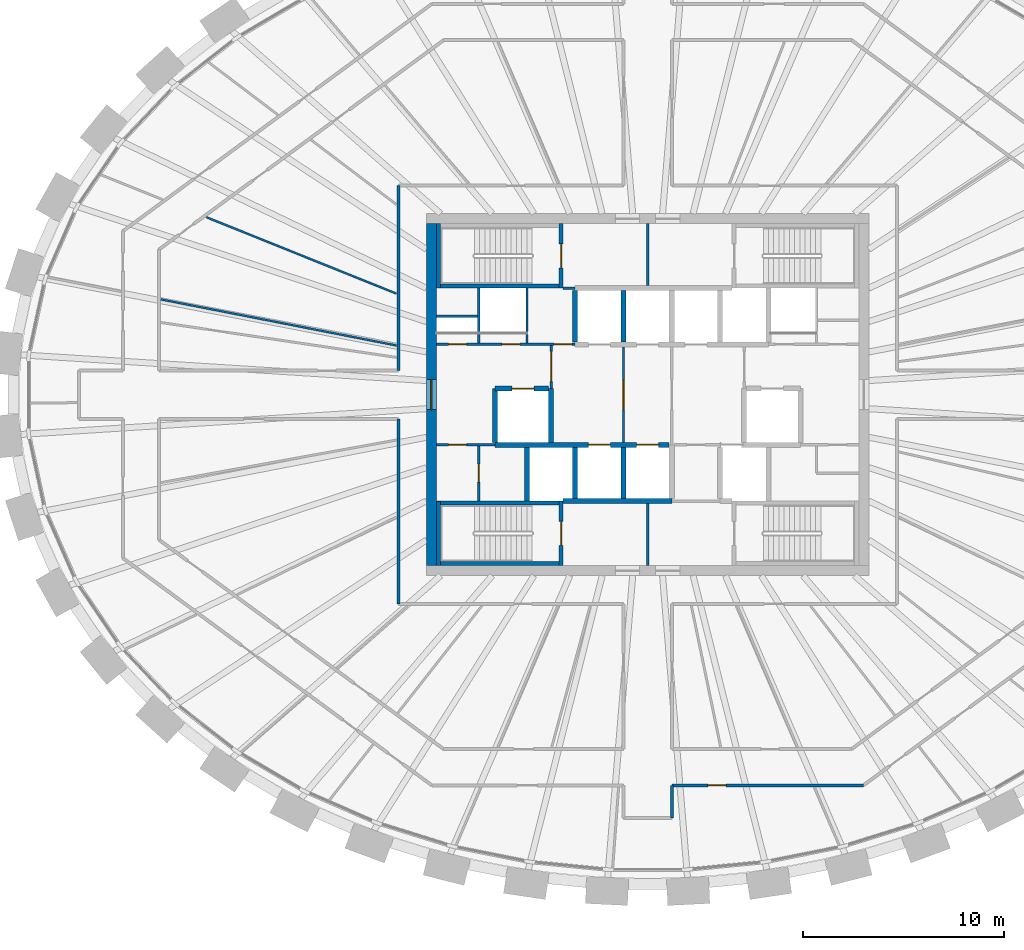
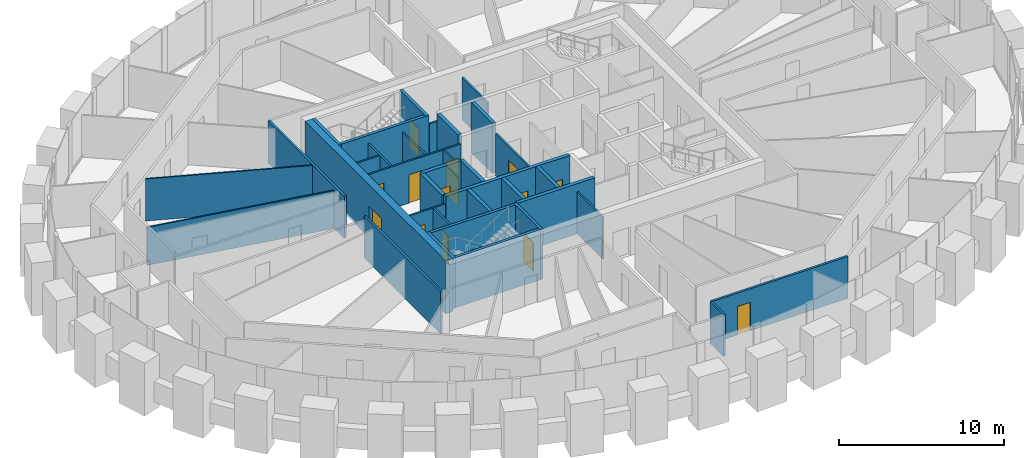
# One storey, part 7 of 12: 35 walls, 14 doors, 14 openings.
"""IFC4 building model written with IfcOpenShell, lengths in metres."""

from ifc_helpers import new_model, si_unit, direction, frame, frame_2d, origin, place, context, subcontext, project, spatial, rectangle, extrude, source, transform, mapped, material, layer, layer_set, type_object, element, fill, save


model = new_model("IFC4")

# Units and contexts
model_context = context("Model", 3, precision=1e-05, world=origin(), true_north=direction((0.0, 1.0)))
body_context = subcontext(model_context, "Body", "Model", "MODEL_VIEW")
ifc_project = project(units=[si_unit("LENGTHUNIT", "METRE"), si_unit("AREAUNIT", "SQUARE_METRE"), si_unit("VOLUMEUNIT", "CUBIC_METRE"), si_unit("PLANEANGLEUNIT", "RADIAN"), si_unit("MASSUNIT", "GRAM", prefix="KILO")], contexts=[model_context])

# Site, building, storey
site_placement = place(None, origin())
site = spatial("IfcSite", under=ifc_project, at=site_placement, CompositionType="ELEMENT")
building_placement = place(site_placement, origin())
building = spatial("IfcBuilding", under=site, at=building_placement, Name="Embergate Tower", CompositionType="ELEMENT")
storey_placement = place(building_placement, frame((0.0, 0.0, 281.199951171875)))
storey = spatial("IfcBuildingStorey", under=building, at=storey_placement, Name="L65", CompositionType="ELEMENT", Elevation=281.199951171875)

# Wall, opening, door
ifc_material_1 = material(Name="Concrete C50", Category="concrete")
ifc_layer_1 = layer(ifc_material_1, 0.5)
ifc_layer_set_1 = layer_set([ifc_layer_1], Name="Concrete C50")
wall_type_1 = type_object("IfcWallType", Name="Core outer wall C50 500", PredefinedType="SHEAR", material=ifc_layer_set_1)
shared_shape_1 = source(origin(), body_context, "Body", "SweptSolid", [
    extrude(rectangle(XDim=17.0, YDim=0.5, at=frame_2d((8.5, 0.0))), origin(), (0.0, 0.0, 1.0), 3.89990234375),
])
wall_1_placement = place(storey_placement, frame((-10.75, -8.5, -0.199951171875), z_axis=(0.0, 0.0, 1.0), x_axis=(0.0, 1.0, 0.0)))
wall_1 = element("IfcWall", 1, at=wall_1_placement, inside=storey, type_object=wall_type_1, Name="CW-L65-W", PredefinedType="SHEAR", context=body_context, shape_type="MappedRepresentation", body=[
    mapped(shared_shape_1, transform((0.0, 0.0, 0.0))),
])
shared_shape_2 = source(origin(), body_context, "Body", "SweptSolid", [
    extrude(rectangle(XDim=1.5, YDim=2.10009765625, at=frame_2d((0.75, 1.050048828125))), frame((0.0, 0.260009765625, 0.0), z_axis=(0.0, -1.0, 0.0), x_axis=(1.0, 0.0, 0.0)), (0.0, 0.0, 1.0), 0.52001953125),
])
opening_1_placement = place(wall_1_placement, frame((7.75, 0.0, 0.199951171875)))
opening_1 = element("IfcOpeningElement", 2, at=opening_1_placement, cuts=wall_1, Name="Opening IF-3", PredefinedType="OPENING", context=body_context, shape_type="MappedRepresentation", body=[
    mapped(shared_shape_2, transform((0.0, 0.0, 0.0))),
])
ifc_material_2 = material(Name="Lobby fire door pair 1500")
door_type_1 = type_object("IfcDoorType", Name="Lobby fire door pair 1500", OperationType="DOUBLE_DOOR_SINGLE_SWING", PredefinedType="DOOR", material=ifc_material_2)
shared_shape_3 = source(origin(), body_context, "Body", "SweptSolid", [
    extrude(rectangle(XDim=1.5, YDim=2.10009765625, at=frame_2d((0.75, 1.050048828125))), frame((0.0, 0.02490234375, 0.0), z_axis=(0.0, -1.0, 0.0), x_axis=(1.0, 0.0, 0.0)), (0.0, 0.0, 1.0), 0.050048828125),
])
door_1_placement = place(opening_1_placement, origin())
door_1 = element("IfcDoor", 3, at=door_1_placement, inside=storey, type_object=door_type_1, Name="IF-3 door", OperationType="DOUBLE_DOOR_SINGLE_SWING", OverallHeight=2.10009765625, OverallWidth=1.5, PredefinedType="DOOR", context=body_context, shape_type="MappedRepresentation", body=[
    mapped(shared_shape_3, transform((0.0, 0.0, 0.0))),
])
fill(opening_1, door_1)

# Walls
ifc_layer_2 = layer(ifc_material_1, 0.25)
ifc_layer_set_2 = layer_set([ifc_layer_2], Name="Concrete C50")
wall_type_2 = type_object("IfcWallType", Name="Hoistway wall reinforced concrete 250", PredefinedType="SHEAR", material=ifc_layer_set_2)
shared_shape_4 = source(origin(), body_context, "Body", "SweptSolid", [
    extrude(rectangle(XDim=2.675048828125, YDim=0.25, at=frame_2d((1.33740234375, 0.0))), origin(), (0.0, 0.0, 1.0), 3.699951171875),
])
for number, where, z_axis, x_axis, name in (
    (4, (-6.0, -5.300048828125, 0.0), (0.0, 0.0, 1.0), (0.0, 1.0, 0.0), "HW-1 wall"),
    (5, (-4.800048828125, 0.300048828125, 0.0), (0.0, 0.0, 1.0), (0.0, -1.0, 0.0), "HW-1 wall"),
):
    element("IfcWall", number, at=place(storey_placement, frame(where, z_axis=z_axis, x_axis=x_axis)), inside=storey, type_object=wall_type_2, Name=name, PredefinedType="SHEAR", context=body_context, shape_type="MappedRepresentation", body=[
        mapped(shared_shape_4, transform((0.0, 0.0, 0.0))),
    ])

# Wall, opening, door
wall_2_placement = place(storey_placement, frame((-4.925048828125, 0.300048828125, 0.0), z_axis=(0.0, 0.0, 1.0), x_axis=(-1.0, 0.0, 0.0)))
wall_2 = element("IfcWall", 6, at=wall_2_placement, inside=storey, type_object=wall_type_2, Name="HW-1 wall", PredefinedType="SHEAR", context=body_context, shape_type="MappedRepresentation", body=[
    mapped(shared_shape_4, transform((0.0, 0.0, 0.0))),
])
shared_shape_5 = source(origin(), body_context, "Body", "SweptSolid", [
    extrude(rectangle(XDim=1.10009765625, YDim=2.10009765625, at=frame_2d((0.550048828125, 1.050048828125))), frame((0.0, 0.135009765625, 0.0), z_axis=(0.0, -1.0, 0.0), x_axis=(1.0, 0.0, 0.0)), (0.0, 0.0, 1.0), 0.27001953125),
])
opening_2_placement = place(wall_2_placement, frame((0.72509765625, 0.0, 0.0)))
opening_2 = element("IfcOpeningElement", 7, at=opening_2_placement, cuts=wall_2, Name="Opening LD", PredefinedType="OPENING", context=body_context, shape_type="MappedRepresentation", body=[
    mapped(shared_shape_5, transform((0.0, 0.0, 0.0))),
])
ifc_material_3 = material(Name="Landing door sliding 1100")
door_type_2 = type_object("IfcDoorType", Name="Landing door sliding 1100", OperationType="SLIDING_TO_LEFT", PredefinedType="DOOR", material=ifc_material_3)
shared_shape_6 = source(origin(), body_context, "Body", "SweptSolid", [
    extrude(rectangle(XDim=1.10009765625, YDim=2.10009765625, at=frame_2d((0.550048828125, 1.050048828125))), frame((0.0, 0.02490234375, 0.0), z_axis=(0.0, -1.0, 0.0), x_axis=(1.0, 0.0, 0.0)), (0.0, 0.0, 1.0), 0.050048828125),
])
door_2_placement = place(opening_2_placement, origin())
door_2 = element("IfcDoor", 8, at=door_2_placement, inside=storey, type_object=door_type_2, Name="LD door", OperationType="SLIDING_TO_RIGHT", OverallHeight=2.10009765625, OverallWidth=1.10009765625, PredefinedType="DOOR", context=body_context, shape_type="MappedRepresentation", body=[
    mapped(shared_shape_6, transform((0.0, 0.0, 0.0))),
])
fill(opening_2, door_2)

# Walls
wall_3_placement = place(storey_placement, frame((-7.60009765625, 0.300048828125, 0.0), z_axis=(0.0, 0.0, 1.0), x_axis=(0.0, -1.0, 0.0)))
element("IfcWall", 9, at=wall_3_placement, inside=storey, type_object=wall_type_2, Name="HW-1 wall", PredefinedType="SHEAR", context=body_context, shape_type="MappedRepresentation", body=[
    mapped(shared_shape_4, transform((0.0, 0.0, 0.0))),
])
ifc_layer_3 = layer(ifc_material_1, 0.199951171875)
ifc_layer_set_3 = layer_set([ifc_layer_3], Name="Concrete C50")
wall_type_3 = type_object("IfcWallType", Name="Stair enclosure wall reinforced concrete 250", PredefinedType="SHEAR", material=ifc_layer_set_3)
shared_shape_7 = source(origin(), body_context, "Body", "SweptSolid", [
    extrude(rectangle(XDim=6.300048828125, YDim=0.199951171875, at=frame_2d((3.14990234375, 0.0))), origin(), (0.0, 0.0, 1.0), 3.699951171875),
])
for number, where, z_axis, x_axis, name in (
    (10, (-4.199951171875, 5.39990234375, 0.0), (0.0, 0.0, 1.0), (-1.0, 0.0, 0.0), "SE-1 wall"),
    (11, (-10.5, -5.39990234375, 0.0), (0.0, 0.0, 1.0), (1.0, 0.0, 0.0), "SE-1 wall"),
):
    element("IfcWall", number, at=place(storey_placement, frame(where, z_axis=z_axis, x_axis=x_axis)), inside=storey, type_object=wall_type_3, Name=name, PredefinedType="SHEAR", context=body_context, shape_type="MappedRepresentation", body=[
        mapped(shared_shape_7, transform((0.0, 0.0, 0.0))),
    ])
ifc_material_4 = material(Name="Core partition blockwork 120")
ifc_layer_4 = layer(ifc_material_4, 0.1201171875)
ifc_layer_set_4 = layer_set([ifc_layer_4], Name="Core partition blockwork 120")
wall_type_4 = type_object("IfcWallType", Name="Core partition blockwork 120", PredefinedType="PARTITIONING", material=ifc_layer_set_4)
shared_shape_8 = source(origin(), body_context, "Body", "SweptSolid", [
    extrude(rectangle(XDim=2.739990234375, YDim=0.1201171875, at=frame_2d((1.3701171875, 0.0))), origin(), (0.0, 0.0, 1.0), 3.10009765625),
])
wall_4_placement = place(storey_placement, frame((-6.0, 2.56005859375, 0.0), z_axis=(0.0, 0.0, 1.0), x_axis=(0.0, 1.0, 0.0)))
element("IfcWall", 12, at=wall_4_placement, inside=storey, type_object=wall_type_4, Name="IP-3 wall", PredefinedType="PARTITIONING", context=body_context, shape_type="MappedRepresentation", body=[
    mapped(shared_shape_8, transform((0.0, 0.0, 0.0))),
])

# Wall, opening, door
wall_5_placement = place(storey_placement, frame((-8.39990234375, -2.56005859375, 0.0), z_axis=(0.0, 0.0, 1.0), x_axis=(0.0, -1.0, 0.0)))
wall_5 = element("IfcWall", 13, at=wall_5_placement, inside=storey, type_object=wall_type_4, Name="IP-3 wall", PredefinedType="PARTITIONING", context=body_context, shape_type="MappedRepresentation", body=[
    mapped(shared_shape_8, transform((0.0, 0.0, 0.0))),
])
shared_shape_9 = source(origin(), body_context, "Body", "SweptSolid", [
    extrude(rectangle(XDim=0.89990234375, YDim=2.10009765625, at=frame_2d((0.449951171875, 1.050048828125))), frame((0.0, 0.070068359375, 0.0), z_axis=(0.0, -1.0, 0.0), x_axis=(1.0, 0.0, 0.0)), (0.0, 0.0, 1.0), 0.14013671875),
])
opening_3_placement = place(wall_5_placement, frame((0.889892578125, 0.0, 0.0)))
opening_3 = element("IfcOpeningElement", 14, at=opening_3_placement, cuts=wall_5, Name="Opening ID-1", PredefinedType="OPENING", context=body_context, shape_type="MappedRepresentation", body=[
    mapped(shared_shape_9, transform((0.0, 0.0, 0.0))),
])
ifc_material_5 = material(Name="Interior door 900")
door_type_3 = type_object("IfcDoorType", Name="Interior door 900", OperationType="SINGLE_SWING_LEFT", PredefinedType="DOOR", material=ifc_material_5)
shared_shape_10 = source(origin(), body_context, "Body", "SweptSolid", [
    extrude(rectangle(XDim=0.89990234375, YDim=2.10009765625, at=frame_2d((0.449951171875, 1.050048828125))), frame((0.0, 0.02490234375, 0.0), z_axis=(0.0, -1.0, 0.0), x_axis=(1.0, 0.0, 0.0)), (0.0, 0.0, 1.0), 0.050048828125),
])
door_3_placement = place(opening_3_placement, origin())
door_3 = element("IfcDoor", 15, at=door_3_placement, inside=storey, type_object=door_type_3, Name="ID-1 door", OperationType="SINGLE_SWING_RIGHT", OverallHeight=2.10009765625, OverallWidth=0.89990234375, PredefinedType="DOOR", context=body_context, shape_type="MappedRepresentation", body=[
    mapped(shared_shape_10, transform((0.0, 0.0, 0.0))),
])
fill(opening_3, door_3)

# Walls
shared_shape_11 = source(origin(), body_context, "Body", "SweptSolid", [
    extrude(rectangle(XDim=2.550048828125, YDim=0.25, at=frame_2d((1.27490234375, 0.0))), origin(), (0.0, 0.0, 1.0), 3.699951171875),
])
for number, where, z_axis, x_axis, name in (
    (16, (-1.199951171875, 2.625, 0.0), (0.0, 0.0, 1.0), (0.0, 1.0, 0.0), "HW-1 wall"),
    (17, (-3.60009765625, 5.175048828125, 0.0), (0.0, 0.0, 1.0), (0.0, -1.0, 0.0), "HW-1 wall"),
    (18, (-3.60009765625, -5.175048828125, 0.0), (0.0, 0.0, 1.0), (0.0, 1.0, 0.0), "HW-1 wall"),
    (19, (-1.199951171875, -5.175048828125, 0.0), (0.0, 0.0, 1.0), (0.0, 1.0, 0.0), "HW-1 wall"),
):
    element("IfcWall", number, at=place(storey_placement, frame(where, z_axis=z_axis, x_axis=x_axis)), inside=storey, type_object=wall_type_2, Name=name, PredefinedType="SHEAR", context=body_context, shape_type="MappedRepresentation", body=[
        mapped(shared_shape_11, transform((0.0, 0.0, 0.0))),
    ])

# Wall, opening, door
shared_shape_12 = source(origin(), body_context, "Body", "SweptSolid", [
    extrude(rectangle(XDim=4.75, YDim=0.1201171875, at=frame_2d((2.375, 0.0))), origin(), (0.0, 0.0, 1.0), 3.10009765625),
])
wall_6_placement = place(storey_placement, frame((-1.199951171875, -2.375, 0.0), z_axis=(0.0, 0.0, 1.0), x_axis=(0.0, 1.0, 0.0)))
wall_6 = element("IfcWall", 20, at=wall_6_placement, inside=storey, type_object=wall_type_4, Name="IP-3 wall", PredefinedType="PARTITIONING", context=body_context, shape_type="MappedRepresentation", body=[
    mapped(shared_shape_12, transform((0.0, 0.0, 0.0))),
])
shared_shape_13 = source(origin(), body_context, "Body", "SweptSolid", [
    extrude(rectangle(XDim=1.5, YDim=2.10009765625, at=frame_2d((0.75, 1.050048828125))), frame((0.0, 0.070068359375, 0.0), z_axis=(0.0, -1.0, 0.0), x_axis=(1.0, 0.0, 0.0)), (0.0, 0.0, 1.0), 0.14013671875),
])
opening_4_placement = place(wall_6_placement, frame((1.625, 0.0, 0.0)))
opening_4 = element("IfcOpeningElement", 21, at=opening_4_placement, cuts=wall_6, Name="Opening IF-3", PredefinedType="OPENING", context=body_context, shape_type="MappedRepresentation", body=[
    mapped(shared_shape_13, transform((0.0, 0.0, 0.0))),
])
door_4_placement = place(opening_4_placement, origin())
door_4 = element("IfcDoor", 22, at=door_4_placement, inside=storey, type_object=door_type_1, Name="IF-3 door", OperationType="DOUBLE_DOOR_SINGLE_SWING", OverallHeight=2.10009765625, OverallWidth=1.5, PredefinedType="DOOR", context=body_context, shape_type="MappedRepresentation", body=[
    mapped(shared_shape_3, transform((0.0, 0.0, 0.0))),
])
fill(opening_4, door_4)

shared_shape_14 = source(origin(), body_context, "Body", "SweptSolid", [
    extrude(rectangle(XDim=3.199951171875, YDim=0.199951171875, at=frame_2d((1.60009765625, 0.0))), origin(), (0.0, 0.0, 1.0), 3.699951171875),
])
wall_7_placement = place(storey_placement, frame((-4.300048828125, 5.300048828125, 0.0), z_axis=(0.0, 0.0, 1.0), x_axis=(0.0, 1.0, 0.0)))
wall_7 = element("IfcWall", 23, at=wall_7_placement, inside=storey, type_object=wall_type_3, Name="SE-1 wall", PredefinedType="SHEAR", context=body_context, shape_type="MappedRepresentation", body=[
    mapped(shared_shape_14, transform((0.0, 0.0, 0.0))),
])
shared_shape_15 = source(origin(), body_context, "Body", "SweptSolid", [
    extrude(rectangle(XDim=1.199951171875, YDim=2.10009765625, at=frame_2d((0.60009765625, 1.050048828125))), frame((0.0, 0.10986328125, 0.0), z_axis=(0.0, -1.0, 0.0), x_axis=(1.0, 0.0, 0.0)), (0.0, 0.0, 1.0), 0.219970703125),
])
opening_5_placement = place(wall_7_placement, frame((1.0, 0.0, 0.0)))
opening_5 = element("IfcOpeningElement", 24, at=opening_5_placement, cuts=wall_7, Name="Opening IF-2", PredefinedType="OPENING", context=body_context, shape_type="MappedRepresentation", body=[
    mapped(shared_shape_15, transform((0.0, 0.0, 0.0))),
])
ifc_material_6 = material(Name="Stair enclosure door 1200")
door_type_4 = type_object("IfcDoorType", Name="Stair enclosure door 1200", OperationType="SINGLE_SWING_LEFT", PredefinedType="DOOR", material=ifc_material_6)
shared_shape_16 = source(origin(), body_context, "Body", "SweptSolid", [
    extrude(rectangle(XDim=1.199951171875, YDim=2.10009765625, at=frame_2d((0.60009765625, 1.050048828125))), frame((0.0, 0.02490234375, 0.0), z_axis=(0.0, -1.0, 0.0), x_axis=(1.0, 0.0, 0.0)), (0.0, 0.0, 1.0), 0.050048828125),
])
door_5_placement = place(opening_5_placement, origin())
door_5 = element("IfcDoor", 25, at=door_5_placement, inside=storey, type_object=door_type_4, Name="IF-2 door", OperationType="SINGLE_SWING_LEFT", OverallHeight=2.10009765625, OverallWidth=1.199951171875, PredefinedType="DOOR", context=body_context, shape_type="MappedRepresentation", body=[
    mapped(shared_shape_16, transform((0.0, 0.0, 0.0))),
])
fill(opening_5, door_5)

wall_8_placement = place(storey_placement, frame((-4.300048828125, -8.5, 0.0), z_axis=(0.0, 0.0, 1.0), x_axis=(0.0, 1.0, 0.0)))
wall_8 = element("IfcWall", 26, at=wall_8_placement, inside=storey, type_object=wall_type_3, Name="SE-1 wall", PredefinedType="SHEAR", context=body_context, shape_type="MappedRepresentation", body=[
    mapped(shared_shape_14, transform((0.0, 0.0, 0.0))),
])
opening_6_placement = place(wall_8_placement, frame((1.0, 0.0, 0.0)))
opening_6 = element("IfcOpeningElement", 27, at=opening_6_placement, cuts=wall_8, Name="Opening IF-2", PredefinedType="OPENING", context=body_context, shape_type="MappedRepresentation", body=[
    mapped(shared_shape_15, transform((0.0, 0.0, 0.0))),
])
door_6_placement = place(opening_6_placement, origin())
door_6 = element("IfcDoor", 28, at=door_6_placement, inside=storey, type_object=door_type_4, Name="IF-2 door", OperationType="SINGLE_SWING_RIGHT", OverallHeight=2.10009765625, OverallWidth=1.199951171875, PredefinedType="DOOR", context=body_context, shape_type="MappedRepresentation", body=[
    mapped(shared_shape_16, transform((0.0, 0.0, 0.0))),
])
fill(opening_6, door_6)

# Walls
wall_9_placement = place(storey_placement, frame((-10.39990234375, 8.5, 0.0), z_axis=(0.0, 0.0, 1.0), x_axis=(0.0, -1.0, 0.0)))
element("IfcWall", 29, at=wall_9_placement, inside=storey, type_object=wall_type_3, Name="SE-1 wall", PredefinedType="SHEAR", context=body_context, shape_type="MappedRepresentation", body=[
    mapped(shared_shape_14, transform((0.0, 0.0, 0.0))),
])
shared_shape_17 = source(origin(), body_context, "Body", "SweptSolid", [
    extrude(rectangle(XDim=5.39990234375, YDim=0.25, at=frame_2d((2.699951171875, 0.0))), origin(), (0.0, 0.0, 1.0), 3.699951171875),
])
wall_10_placement = place(storey_placement, frame((-4.199951171875, -5.300048828125, 0.0), z_axis=(0.0, 0.0, 1.0), x_axis=(1.0, 0.0, 0.0)))
element("IfcWall", 30, at=wall_10_placement, inside=storey, type_object=wall_type_2, Name="HW-1 wall", PredefinedType="SHEAR", context=body_context, shape_type="MappedRepresentation", body=[
    mapped(shared_shape_17, transform((0.0, 0.0, 0.0))),
])
shared_shape_18 = source(origin(), body_context, "Body", "SweptSolid", [
    extrude(rectangle(XDim=6.298095703125, YDim=0.199951171875, at=frame_2d((3.14892578125, 0.0))), origin(), (0.0, 0.0, 1.0), 3.699951171875),
])
wall_11_placement = place(storey_placement, frame((-10.5, -8.39990234375, 0.0), z_axis=(0.0, 0.0, 1.0), x_axis=(1.0, 0.0, 0.0)))
element("IfcWall", 31, at=wall_11_placement, inside=storey, type_object=wall_type_3, Name="SE-1 wall", PredefinedType="SHEAR", context=body_context, shape_type="MappedRepresentation", body=[
    mapped(shared_shape_18, transform((0.0, 0.0, 0.0))),
])
shared_shape_19 = source(origin(), body_context, "Body", "SweptSolid", [
    extrude(rectangle(XDim=3.197998046875, YDim=0.199951171875, at=frame_2d((1.59912109375, 0.0))), origin(), (0.0, 0.0, 1.0), 3.699951171875),
])
wall_12_placement = place(storey_placement, frame((-10.39990234375, -5.302001953125, 0.0), z_axis=(0.0, 0.0, 1.0), x_axis=(0.0, -1.0, 0.0)))
element("IfcWall", 32, at=wall_12_placement, inside=storey, type_object=wall_type_3, Name="SE-1 wall", PredefinedType="SHEAR", context=body_context, shape_type="MappedRepresentation", body=[
    mapped(shared_shape_19, transform((0.0, 0.0, 0.0))),
])
ifc_material_7 = material(Name="Corridor wall dry-lined 150")
ifc_layer_5 = layer(ifc_material_7, 0.14990234375)
ifc_layer_set_5 = layer_set([ifc_layer_5], Name="Corridor wall dry-lined 150")
wall_type_5 = type_object("IfcWallType", Name="Corridor wall dry-lined 150", PredefinedType="PARTITIONING", material=ifc_layer_set_5)
shared_shape_20 = source(origin(), body_context, "Body", "SweptSolid", [
    extrude(rectangle(XDim=9.199951171875, YDim=0.14990234375, at=frame_2d((4.60009765625, 0.0))), origin(), (0.0, 0.0, 1.0), 3.10009765625),
])
for number, where, z_axis, x_axis, name in (
    (33, (-12.39990234375, -1.199951171875, 0.0), (0.0, 0.0, 1.0), (0.0, -1.0, 0.0), "IP-2 wall"),
    (34, (-12.39990234375, 1.199951171875, 0.0), (0.0, 0.0, 1.0), (0.0, 1.0, 0.0), "IP-2 wall"),
):
    element("IfcWall", number, at=place(storey_placement, frame(where, z_axis=z_axis, x_axis=x_axis)), inside=storey, type_object=wall_type_5, Name=name, PredefinedType="PARTITIONING", context=body_context, shape_type="MappedRepresentation", body=[
        mapped(shared_shape_20, transform((0.0, 0.0, 0.0))),
    ])
shared_shape_21 = source(origin(), body_context, "Body", "SweptSolid", [
    extrude(rectangle(XDim=2.738037109375, YDim=0.1201171875, at=frame_2d((1.369140625, 0.0))), origin(), (0.0, 0.0, 1.0), 3.10009765625),
])
wall_13_placement = place(storey_placement, frame((-8.39990234375, 5.298095703125, 0.0), z_axis=(0.0, 0.0, 1.0), x_axis=(0.0, -1.0, 0.0)))
element("IfcWall", 35, at=wall_13_placement, inside=storey, type_object=wall_type_4, Name="IP-3 wall", PredefinedType="PARTITIONING", context=body_context, shape_type="MappedRepresentation", body=[
    mapped(shared_shape_21, transform((0.0, 0.0, 0.0))),
])

# Wall, opening, door
shared_shape_22 = source(origin(), body_context, "Body", "SweptSolid", [
    extrude(rectangle(XDim=2.89990234375, YDim=0.1201171875, at=frame_2d((1.449951171875, 0.0))), origin(), (0.0, 0.0, 1.0), 3.10009765625),
])
wall_14_placement = place(storey_placement, frame((-7.60009765625, -2.5, 0.0), z_axis=(0.0, 0.0, 1.0), x_axis=(-1.0, 0.0, 0.0)))
wall_14 = element("IfcWall", 36, at=wall_14_placement, inside=storey, type_object=wall_type_4, Name="IP-3 wall", PredefinedType="PARTITIONING", context=body_context, shape_type="MappedRepresentation", body=[
    mapped(shared_shape_22, transform((0.0, 0.0, 0.0))),
])
opening_7_placement = place(wall_14_placement, frame((1.39990234375, 0.0, 0.0)))
opening_7 = element("IfcOpeningElement", 37, at=opening_7_placement, cuts=wall_14, Name="Opening ID-1", PredefinedType="OPENING", context=body_context, shape_type="MappedRepresentation", body=[
    mapped(shared_shape_9, transform((0.0, 0.0, 0.0))),
])
door_7_placement = place(opening_7_placement, origin())
door_7 = element("IfcDoor", 38, at=door_7_placement, inside=storey, type_object=door_type_3, Name="ID-1 door", OperationType="SINGLE_SWING_LEFT", OverallHeight=2.10009765625, OverallWidth=0.89990234375, PredefinedType="DOOR", context=body_context, shape_type="MappedRepresentation", body=[
    mapped(shared_shape_10, transform((0.0, 0.0, 0.0))),
])
fill(opening_7, door_7)

shared_shape_23 = source(origin(), body_context, "Body", "SweptSolid", [
    extrude(rectangle(XDim=2.139892578125, YDim=0.1201171875, at=frame_2d((1.06982421875, 0.0))), origin(), (0.0, 0.0, 1.0), 3.10009765625),
])
wall_15_placement = place(storey_placement, frame((-4.800048828125, 2.43994140625, 0.0), z_axis=(0.0, 0.0, 1.0), x_axis=(0.0, -1.0, 0.0)))
wall_15 = element("IfcWall", 39, at=wall_15_placement, inside=storey, type_object=wall_type_4, Name="IP-3 wall", PredefinedType="PARTITIONING", context=body_context, shape_type="MappedRepresentation", body=[
    mapped(shared_shape_23, transform((0.0, 0.0, 0.0))),
])
opening_8_placement = place(wall_15_placement, frame((0.2900390625, 0.0, 0.0)))
opening_8 = element("IfcOpeningElement", 40, at=opening_8_placement, cuts=wall_15, Name="Opening IF-3", PredefinedType="OPENING", context=body_context, shape_type="MappedRepresentation", body=[
    mapped(shared_shape_13, transform((0.0, 0.0, 0.0))),
])
door_8_placement = place(opening_8_placement, origin())
door_8 = element("IfcDoor", 41, at=door_8_placement, inside=storey, type_object=door_type_1, Name="IF-3 door", OperationType="DOUBLE_DOOR_SINGLE_SWING", OverallHeight=2.10009765625, OverallWidth=1.5, PredefinedType="DOOR", context=body_context, shape_type="MappedRepresentation", body=[
    mapped(shared_shape_3, transform((0.0, 0.0, 0.0))),
])
fill(opening_8, door_8)

# Walls
shared_shape_24 = source(origin(), body_context, "Body", "SweptSolid", [
    extrude(rectangle(XDim=3.074951171875, YDim=0.1201171875, at=frame_2d((1.53759765625, 0.0))), origin(), (0.0, 0.0, 1.0), 3.10009765625),
])
for number, where, z_axis, x_axis, name in (
    (42, (0.0, 5.425048828125, 0.0), (0.0, 0.0, 1.0), (0.0, 1.0, 0.0), "IP-3 wall"),
    (43, (0.0, -8.5, 0.0), (0.0, 0.0, 1.0), (0.0, 1.0, 0.0), "IP-3 wall"),
):
    element("IfcWall", number, at=place(storey_placement, frame(where, z_axis=z_axis, x_axis=x_axis)), inside=storey, type_object=wall_type_4, Name=name, PredefinedType="PARTITIONING", context=body_context, shape_type="MappedRepresentation", body=[
        mapped(shared_shape_24, transform((0.0, 0.0, 0.0))),
    ])
shared_shape_25 = source(origin(), body_context, "Body", "SweptSolid", [
    extrude(rectangle(XDim=0.599853515625, YDim=0.1201171875, at=frame_2d((0.2998046875, 0.0))), origin(), (0.0, 0.0, 1.0), 3.10009765625),
])
wall_16_placement = place(storey_placement, frame((-4.199951171875, 5.300048828125, 0.0), z_axis=(0.0, 0.0, 1.0), x_axis=(1.0, 0.0, 0.0)))
element("IfcWall", 44, at=wall_16_placement, inside=storey, type_object=wall_type_4, Name="IP-3 wall", PredefinedType="PARTITIONING", context=body_context, shape_type="MappedRepresentation", body=[
    mapped(shared_shape_25, transform((0.0, 0.0, 0.0))),
])
shared_shape_26 = source(origin(), body_context, "Body", "SweptSolid", [
    extrude(rectangle(XDim=2.0380859375, YDim=0.1201171875, at=frame_2d((1.01904296875, 0.0))), origin(), (0.0, 0.0, 1.0), 3.10009765625),
])
wall_17_placement = place(storey_placement, frame((-8.4619140625, 3.89990234375, 0.0), z_axis=(0.0, 0.0, 1.0), x_axis=(-1.0, 0.0, 0.0)))
element("IfcWall", 45, at=wall_17_placement, inside=storey, type_object=wall_type_4, Name="IP-3 wall", PredefinedType="PARTITIONING", context=body_context, shape_type="MappedRepresentation", body=[
    mapped(shared_shape_26, transform((0.0, 0.0, 0.0))),
])

# Wall, openings, doors
shared_shape_27 = source(origin(), body_context, "Body", "SweptSolid", [
    extrude(rectangle(XDim=6.89990234375, YDim=0.1201171875, at=frame_2d((3.449951171875, 0.0))), origin(), (0.0, 0.0, 1.0), 3.10009765625),
])
wall_18_placement = place(storey_placement, frame((-10.5, 2.5, 0.0), z_axis=(0.0, 0.0, 1.0), x_axis=(1.0, 0.0, 0.0)))
wall_18 = element("IfcWall", 46, at=wall_18_placement, inside=storey, type_object=wall_type_4, Name="IP-3 wall", PredefinedType="PARTITIONING", context=body_context, shape_type="MappedRepresentation", body=[
    mapped(shared_shape_27, transform((0.0, 0.0, 0.0))),
])
opening_9_placement = place(wall_18_placement, frame((3.25, 0.0, 0.0)))
opening_9 = element("IfcOpeningElement", 47, at=opening_9_placement, cuts=wall_18, Name="Opening ID-1", PredefinedType="OPENING", context=body_context, shape_type="MappedRepresentation", body=[
    mapped(shared_shape_9, transform((0.0, 0.0, 0.0))),
])
opening_10_placement = place(wall_18_placement, frame((5.85009765625, 0.0, 0.0)))
opening_10 = element("IfcOpeningElement", 48, at=opening_10_placement, cuts=wall_18, Name="Opening ID-1", PredefinedType="OPENING", context=body_context, shape_type="MappedRepresentation", body=[
    mapped(shared_shape_9, transform((0.0, 0.0, 0.0))),
])
opening_11_placement = place(wall_18_placement, frame((0.60009765625, 0.0, 0.0)))
opening_11 = element("IfcOpeningElement", 49, at=opening_11_placement, cuts=wall_18, Name="Opening ID-1", PredefinedType="OPENING", context=body_context, shape_type="MappedRepresentation", body=[
    mapped(shared_shape_9, transform((0.0, 0.0, 0.0))),
])
door_9_placement = place(opening_9_placement, origin())
door_9 = element("IfcDoor", 50, at=door_9_placement, inside=storey, type_object=door_type_3, Name="ID-1 door", OperationType="SINGLE_SWING_LEFT", OverallHeight=2.10009765625, OverallWidth=0.89990234375, PredefinedType="DOOR", context=body_context, shape_type="MappedRepresentation", body=[
    mapped(shared_shape_10, transform((0.0, 0.0, 0.0))),
])
fill(opening_9, door_9)
door_10_placement = place(opening_10_placement, origin())
door_10 = element("IfcDoor", 51, at=door_10_placement, inside=storey, type_object=door_type_3, Name="ID-1 door", OperationType="SINGLE_SWING_RIGHT", OverallHeight=2.10009765625, OverallWidth=0.89990234375, PredefinedType="DOOR", context=body_context, shape_type="MappedRepresentation", body=[
    mapped(shared_shape_10, transform((0.0, 0.0, 0.0))),
])
fill(opening_10, door_10)
door_11_placement = place(opening_11_placement, origin())
door_11 = element("IfcDoor", 52, at=door_11_placement, inside=storey, type_object=door_type_3, Name="ID-1 door", OperationType="SINGLE_SWING_RIGHT", OverallHeight=2.10009765625, OverallWidth=0.89990234375, PredefinedType="DOOR", context=body_context, shape_type="MappedRepresentation", body=[
    mapped(shared_shape_10, transform((0.0, 0.0, 0.0))),
])
fill(opening_11, door_11)

# Wall, opening, door
shared_shape_28 = source(origin(), body_context, "Body", "SweptSolid", [
    extrude(rectangle(XDim=9.531982421875, YDim=0.14990234375, at=frame_2d((4.76611328125, 0.0))), origin(), (0.0, 0.0, 1.0), 3.10009765625),
])
wall_19_placement = place(storey_placement, frame((10.73193359375, -19.428955078125, 0.0), z_axis=(0.0, 0.0, 1.0), x_axis=(-1.0, 0.0, 0.0)))
wall_19 = element("IfcWall", 53, at=wall_19_placement, inside=storey, type_object=wall_type_5, Name="IP-2 wall", PredefinedType="PARTITIONING", context=body_context, shape_type="MappedRepresentation", body=[
    mapped(shared_shape_28, transform((0.0, 0.0, 0.0))),
])
shared_shape_29 = source(origin(), body_context, "Body", "SweptSolid", [
    extrude(rectangle(XDim=0.89990234375, YDim=2.10009765625, at=frame_2d((0.449951171875, 1.050048828125))), frame((0.0, 0.0849609375, 0.0), z_axis=(0.0, -1.0, 0.0), x_axis=(1.0, 0.0, 0.0)), (0.0, 0.0, 1.0), 0.169921875),
])
opening_12_placement = place(wall_19_placement, frame((6.832275390625, 0.0, 0.0)))
opening_12 = element("IfcOpeningElement", 54, at=opening_12_placement, cuts=wall_19, Name="Opening IF-1c", PredefinedType="OPENING", context=body_context, shape_type="MappedRepresentation", body=[
    mapped(shared_shape_29, transform((0.0, 0.0, 0.0))),
])
ifc_material_8 = material(Name="Escape fire door 900")
door_type_5 = type_object("IfcDoorType", Name="Escape fire door 900", OperationType="SINGLE_SWING_LEFT", PredefinedType="DOOR", material=ifc_material_8)
door_12_placement = place(opening_12_placement, origin())
door_12 = element("IfcDoor", 55, at=door_12_placement, inside=storey, type_object=door_type_5, Name="IF-1 door", OperationType="SINGLE_SWING_RIGHT", OverallHeight=2.10009765625, OverallWidth=0.89990234375, PredefinedType="DOOR", context=body_context, shape_type="MappedRepresentation", body=[
    mapped(shared_shape_10, transform((0.0, 0.0, 0.0))),
])
fill(opening_12, door_12)

# Walls
shared_shape_30 = source(origin(), body_context, "Body", "SweptSolid", [
    extrude(rectangle(XDim=1.626953125, YDim=0.14990234375, at=frame_2d((0.8134765625, 0.0))), origin(), (0.0, 0.0, 1.0), 3.10009765625),
])
wall_20_placement = place(storey_placement, frame((1.199951171875, -19.428955078125, 0.0), z_axis=(0.0, 0.0, 1.0), x_axis=(0.0, -1.0, 0.0)))
element("IfcWall", 56, at=wall_20_placement, inside=storey, type_object=wall_type_5, Name="IP-2 wall", PredefinedType="PARTITIONING", context=body_context, shape_type="MappedRepresentation", body=[
    mapped(shared_shape_30, transform((0.0, 0.0, 0.0))),
])
ifc_material_9 = material(Name="Partition dry-lined 100")
ifc_layer_6 = layer(ifc_material_9, 0.10009765625)
ifc_layer_set_6 = layer_set([ifc_layer_6], Name="Partition dry-lined 100")
wall_type_6 = type_object("IfcWallType", Name="Partition dry-lined 100", PredefinedType="PARTITIONING", material=ifc_layer_set_6)
shared_shape_31 = source(origin(), body_context, "Body", "SweptSolid", [
    extrude(rectangle(XDim=11.94921875, YDim=0.10009765625, at=frame_2d((5.974609375, 0.0))), origin(), (0.0, 0.0, 1.0), 2.800048828125),
])
wall_21_placement = place(storey_placement, frame((-12.485107421875, 2.443115234375, 0.0), z_axis=(0.0, 0.0, 1.0), x_axis=(-0.981384033043, 0.192055668199, 0.0)))
element("IfcWall", 57, at=wall_21_placement, inside=storey, type_object=wall_type_6, Name="IP-1 wall", PredefinedType="PARTITIONING", context=body_context, shape_type="MappedRepresentation", body=[
    mapped(shared_shape_31, transform((0.0, 0.0, 0.0))),
])
shared_shape_32 = source(origin(), body_context, "Body", "SweptSolid", [
    extrude(rectangle(XDim=10.185546875, YDim=0.10009765625, at=frame_2d((5.0927734375, 0.0))), origin(), (0.0, 0.0, 1.0), 3.10009765625),
])
wall_22_placement = place(storey_placement, frame((-12.493896484375, 5.02392578125, 0.0), z_axis=(0.0, 0.0, 1.0), x_axis=(-0.927799056182, 0.373080301474, 0.0)))
element("IfcWall", 58, at=wall_22_placement, inside=storey, type_object=wall_type_6, Name="IP-1 wall", PredefinedType="PARTITIONING", context=body_context, shape_type="MappedRepresentation", body=[
    mapped(shared_shape_32, transform((0.0, 0.0, 0.0))),
])

# Wall, openings, doors
shared_shape_33 = source(origin(), body_context, "Body", "SweptSolid", [
    extrude(rectangle(XDim=8.675048828125, YDim=0.25, at=frame_2d((4.33740234375, 0.0))), origin(), (0.0, 0.0, 1.0), 3.699951171875),
])
wall_23_placement = place(storey_placement, frame((1.074951171875, -2.5, 0.0), z_axis=(0.0, 0.0, 1.0), x_axis=(-1.0, 0.0, 0.0)))
wall_23 = element("IfcWall", 59, at=wall_23_placement, inside=storey, type_object=wall_type_2, Name="HW-1 wall", PredefinedType="SHEAR", context=body_context, shape_type="MappedRepresentation", body=[
    mapped(shared_shape_33, transform((0.0, 0.0, 0.0))),
])
opening_13_placement = place(wall_23_placement, frame((2.925048828125, 0.0, 0.0)))
opening_13 = element("IfcOpeningElement", 60, at=opening_13_placement, cuts=wall_23, Name="Opening LD", PredefinedType="OPENING", context=body_context, shape_type="MappedRepresentation", body=[
    mapped(shared_shape_5, transform((0.0, 0.0, 0.0))),
])
opening_14_placement = place(wall_23_placement, frame((0.52490234375, 0.0, 0.0)))
opening_14 = element("IfcOpeningElement", 61, at=opening_14_placement, cuts=wall_23, Name="Opening LD", PredefinedType="OPENING", context=body_context, shape_type="MappedRepresentation", body=[
    mapped(shared_shape_5, transform((0.0, 0.0, 0.0))),
])
door_13_placement = place(opening_13_placement, origin())
door_13 = element("IfcDoor", 62, at=door_13_placement, inside=storey, type_object=door_type_2, Name="LD door", OperationType="SLIDING_TO_LEFT", OverallHeight=2.10009765625, OverallWidth=1.10009765625, PredefinedType="DOOR", context=body_context, shape_type="MappedRepresentation", body=[
    mapped(shared_shape_6, transform((0.0, 0.0, 0.0))),
])
fill(opening_13, door_13)
door_14_placement = place(opening_14_placement, origin())
door_14 = element("IfcDoor", 63, at=door_14_placement, inside=storey, type_object=door_type_2, Name="LD door", OperationType="SLIDING_TO_RIGHT", OverallHeight=2.10009765625, OverallWidth=1.10009765625, PredefinedType="DOOR", context=body_context, shape_type="MappedRepresentation", body=[
    mapped(shared_shape_6, transform((0.0, 0.0, 0.0))),
])
fill(opening_14, door_14)

save(model, "model.ifc")
